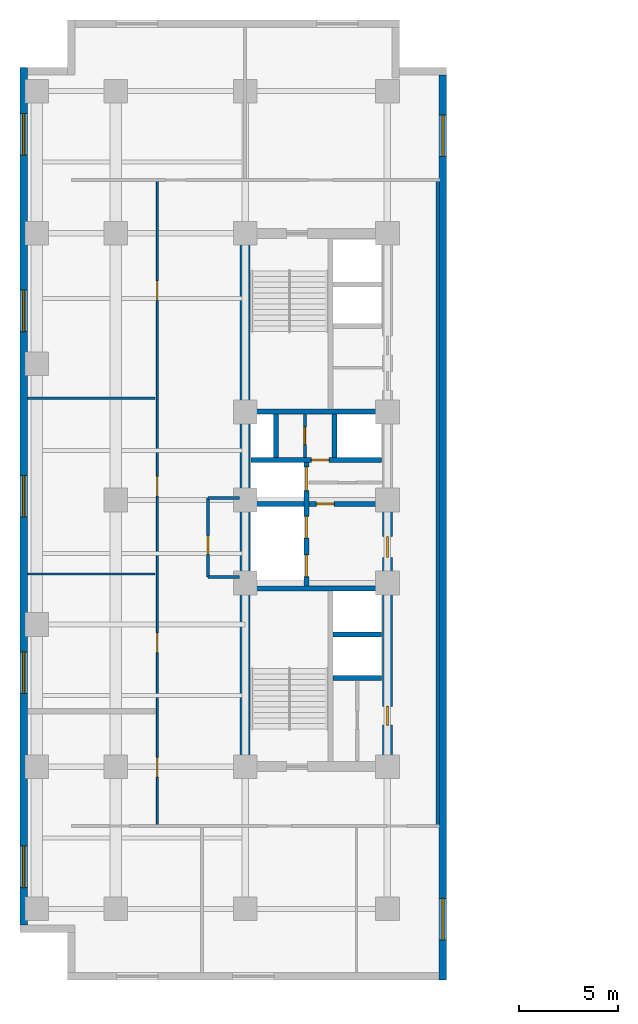
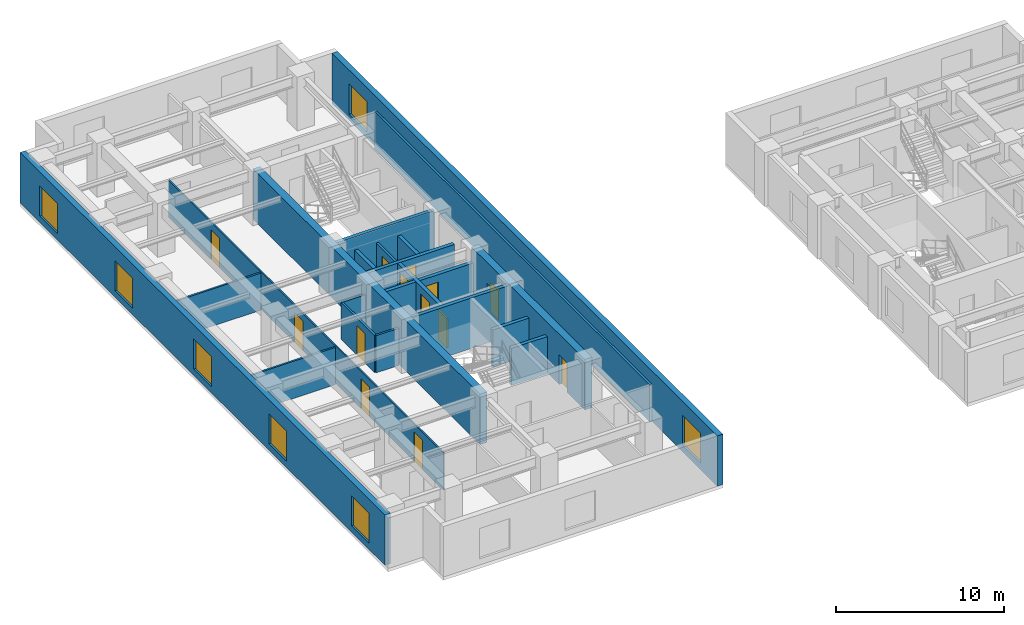
# One storey, part 3 of 9: 21 walls, 13 doors, 7 windows, 20 openings.
"""IFC4 building model written with IfcOpenShell, lengths in metres."""

from ifc_helpers import new_model, entity, si_unit, converted_unit, direction, frame, origin_with_axes, origin_2d_with_axis, place, context, subcontext, project, spatial, polyline, rectangle, outline, extrude, material, layer, layer_set, type_object, element, fill, save


model = new_model("IFC4")

# Units and contexts
model_context = context("Model", 3, precision=1e-05, world=origin_with_axes(), true_north=direction((0.0, 1.0)))
body_context = subcontext(model_context, "Body", "Model", "MODEL_VIEW")
ifc_project = project(units=[si_unit("LENGTHUNIT", "METRE"), si_unit("AREAUNIT", "SQUARE_METRE"), si_unit("VOLUMEUNIT", "CUBIC_METRE"), converted_unit("PLANEANGLEUNIT", "DEGREE", entity("IfcPlaneAngleMeasure", 0.017453292519943295), si_unit("PLANEANGLEUNIT", "RADIAN"), dimensions=[0, 0, 0, 0, 0, 0, 0]), si_unit("MASSUNIT", "GRAM", prefix="KILO"), si_unit("THERMODYNAMICTEMPERATUREUNIT", "KELVIN")], contexts=[model_context])

# Site, building, storey
site_placement = place(None, origin_with_axes())
site = spatial("IfcSite", under=ifc_project, at=site_placement, CompositionType="ELEMENT")
building_placement = place(site_placement, origin_with_axes())
building = spatial("IfcBuilding", under=site, at=building_placement, Name="Varnlund Millrace Tower", CompositionType="ELEMENT")
storey_placement = place(building_placement, frame((0.0, 0.0, 93.0), z_axis=(0.0, 0.0, 1.0), x_axis=(1.0, 0.0, 0.0)))
storey = spatial("IfcBuildingStorey", under=building, at=storey_placement, Name="L22", CompositionType="ELEMENT", Elevation=93.0)

# Wall
ifc_material_1 = material(Name="Concrete C70/85", Category="concrete")
ifc_layer_1 = layer(ifc_material_1, 0.5, Name="Concrete C70/85")
ifc_layer_set_1 = layer_set([ifc_layer_1], Name="Concrete C70/85")
wall_type_1 = type_object("IfcWallType", Name="Type-CoreWall-Shear-500-C70", PredefinedType="SHEAR", material=ifc_layer_set_1)
wall_1_placement = place(storey_placement, frame((11.4, 10.8, 0.0), z_axis=(0.0, 0.0, 1.0), x_axis=(0.0, 1.0, 0.0)))
element("IfcWall", 1, at=wall_1_placement, inside=storey, type_object=wall_type_1, Name="Type-CoreWall-Shear-500-C70", PredefinedType="SHEAR", context=body_context, shape_type="SweptSolid", body=[
    extrude(outline(polyline([(0.0, -0.25), (27.0, -0.25), (27.0, 0.25), (0.0, 0.25), (0.0, -0.25)])), origin_with_axes(), (0.0, 0.0, 1.0), 3.66),
])

# Wall, openings, doors
wall_2_placement = place(storey_placement, frame((18.6, 10.8, 0.0), z_axis=(0.0, 0.0, 1.0), x_axis=(0.0, 1.0, 0.0)))
wall_2 = element("IfcWall", 2, at=wall_2_placement, inside=storey, type_object=wall_type_1, Name="Type-CoreWall-Shear-500-C70", PredefinedType="SHEAR", context=body_context, shape_type="SweptSolid", body=[
    extrude(outline(polyline([(0.0, -0.25), (13.5, -0.25), (13.5, 0.25), (0.0, 0.25), (0.0, -0.25)])), origin_with_axes(), (0.0, 0.0, 1.0), 3.66),
])
opening_1_placement = place(wall_2_placement, frame((11.125, 0.0, 0.0), z_axis=(0.0, 0.0, 1.0), x_axis=(1.0, 0.0, 0.0)))
opening_1 = element("IfcOpeningElement", 3, at=opening_1_placement, cuts=wall_2, Name="Opening L22:DR-FFLOB-A", PredefinedType="OPENING", context=body_context, shape_type="SweptSolid", body=[
    extrude(rectangle(XDim=1.05, YDim=0.52, at=origin_2d_with_axis()), origin_with_axes(), (0.0, 0.0, 1.0), 2.15),
])
opening_2_placement = place(wall_2_placement, frame((2.575, 0.0, 0.0), z_axis=(0.0, 0.0, 1.0), x_axis=(1.0, 0.0, 0.0)))
opening_2 = element("IfcOpeningElement", 4, at=opening_2_placement, cuts=wall_2, Name="Opening L22:DR-RECL-L2", PredefinedType="OPENING", context=body_context, shape_type="SweptSolid", body=[
    extrude(rectangle(XDim=0.95, YDim=0.52, at=origin_2d_with_axis()), origin_with_axes(), (0.0, 0.0, 1.0), 2.15),
])
ifc_material_2 = material(Name="Smoke-barrier hollow steel fire door", Category="steel")
door_type_1 = type_object("IfcDoorType", Name="Type-FireDoor-Lobby-1050X2150", OperationType="NOTDEFINED", PredefinedType="DOOR", material=ifc_material_2)
door_1_placement = place(wall_2_placement, frame((11.125, 0.0, 0.0), z_axis=(0.0, 0.0, 1.0), x_axis=(1.0, 0.0, 0.0)))
door_1 = element("IfcDoor", 5, at=door_1_placement, inside=storey, type_object=door_type_1, Name="Type-FireDoor-Lobby-1050X2150", OperationType="SINGLE_SWING_LEFT", OverallHeight=2.15, OverallWidth=1.05, PredefinedType="DOOR", context=body_context, shape_type="SweptSolid", body=[
    extrude(rectangle(XDim=1.05, YDim=0.09, at=origin_2d_with_axis()), origin_with_axes(), (0.0, 0.0, 1.0), 2.15),
])
fill(opening_1, door_1)
ifc_material_3 = material(Name="Fire-rated hollow steel core service door", Category="steel")
door_type_2 = type_object("IfcDoorType", Name="Type-FireDoor-Service-950X2150", OperationType="NOTDEFINED", PredefinedType="DOOR", material=ifc_material_3)
door_2_placement = place(wall_2_placement, frame((2.575, 0.0, 0.0), z_axis=(0.0, 0.0, 1.0), x_axis=(1.0, 0.0, 0.0)))
door_2 = element("IfcDoor", 6, at=door_2_placement, inside=storey, type_object=door_type_2, Name="Type-FireDoor-Service-950X2150", OperationType="SINGLE_SWING_RIGHT", OverallHeight=2.15, OverallWidth=0.95, PredefinedType="DOOR", context=body_context, shape_type="SweptSolid", body=[
    extrude(rectangle(XDim=0.95, YDim=0.09, at=origin_2d_with_axis()), origin_with_axes(), (0.0, 0.0, 1.0), 2.15),
])
fill(opening_2, door_2)

# Wall, openings, windows
ifc_material_4 = material(Name="Precast concrete C50/60", Category="concrete")
ifc_layer_2 = layer(ifc_material_4, 0.38, Name="Precast concrete C50/60")
ifc_layer_set_2 = layer_set([ifc_layer_2], Name="Precast concrete C50/60")
wall_type_2 = type_object("IfcWallType", Name="Type-ExtWall-Precast-Tube-380", PredefinedType="SOLIDWALL", material=ifc_layer_set_2)
wall_3_placement = place(storey_placement, frame((0.19, 2.78, 0.0), z_axis=(0.0, 0.0, 1.0), x_axis=(0.0, 1.0, 0.0)))
wall_3 = element("IfcWall", 7, at=wall_3_placement, inside=storey, type_object=wall_type_2, Name="Type-ExtWall-Precast-Tube-380", PredefinedType="SOLIDWALL", context=body_context, shape_type="SweptSolid", body=[
    extrude(outline(polyline([(0.0, -0.19), (43.42, -0.19), (43.42, 0.19), (0.0, 0.19), (0.0, -0.19)])), origin_with_axes(), (0.0, 0.0, 1.0), 3.66),
])
opening_3_placement = place(wall_3_placement, frame((2.946, 0.0, 0.45), z_axis=(0.0, 0.0, 1.0), x_axis=(1.0, 0.0, 0.0)))
opening_3 = element("IfcOpeningElement", 8, at=opening_3_placement, cuts=wall_3, Name="Opening L22:WN-01", PredefinedType="OPENING", context=body_context, shape_type="SweptSolid", body=[
    extrude(rectangle(XDim=2.1, YDim=0.4, at=origin_2d_with_axis()), origin_with_axes(), (0.0, 0.0, 1.0), 2.2),
])
opening_4_placement = place(wall_3_placement, frame((12.778, 0.0, 0.45), z_axis=(0.0, 0.0, 1.0), x_axis=(1.0, 0.0, 0.0)))
opening_4 = element("IfcOpeningElement", 9, at=opening_4_placement, cuts=wall_3, Name="Opening L22:WN-02", PredefinedType="OPENING", context=body_context, shape_type="SweptSolid", body=[
    extrude(rectangle(XDim=2.1, YDim=0.4, at=origin_2d_with_axis()), origin_with_axes(), (0.0, 0.0, 1.0), 2.2),
])
opening_5_placement = place(wall_3_placement, frame((21.71, 0.0, 0.45), z_axis=(0.0, 0.0, 1.0), x_axis=(1.0, 0.0, 0.0)))
opening_5 = element("IfcOpeningElement", 10, at=opening_5_placement, cuts=wall_3, Name="Opening L22:WN-03", PredefinedType="OPENING", context=body_context, shape_type="SweptSolid", body=[
    extrude(rectangle(XDim=2.1, YDim=0.4, at=origin_2d_with_axis()), origin_with_axes(), (0.0, 0.0, 1.0), 2.2),
])
opening_6_placement = place(wall_3_placement, frame((31.092, 0.0, 0.45), z_axis=(0.0, 0.0, 1.0), x_axis=(1.0, 0.0, 0.0)))
opening_6 = element("IfcOpeningElement", 11, at=opening_6_placement, cuts=wall_3, Name="Opening L22:WN-04", PredefinedType="OPENING", context=body_context, shape_type="SweptSolid", body=[
    extrude(rectangle(XDim=2.1, YDim=0.4, at=origin_2d_with_axis()), origin_with_axes(), (0.0, 0.0, 1.0), 2.2),
])
opening_7_placement = place(wall_3_placement, frame((40.024, 0.0, 0.45), z_axis=(0.0, 0.0, 1.0), x_axis=(1.0, 0.0, 0.0)))
opening_7 = element("IfcOpeningElement", 12, at=opening_7_placement, cuts=wall_3, Name="Opening L22:WN-05", PredefinedType="OPENING", context=body_context, shape_type="SweptSolid", body=[
    extrude(rectangle(XDim=2.1, YDim=0.4, at=origin_2d_with_axis()), origin_with_axes(), (0.0, 0.0, 1.0), 2.2),
])
ifc_material_5 = material(Name="Argon low-e triple glazing in thermally broken bronze frame", Category="glass")
window_type = type_object("IfcWindowType", Name="Type-Window-Punched-2100X2200", PartitioningType="SINGLE_PANEL", PredefinedType="WINDOW", material=ifc_material_5)
window_1_placement = place(wall_3_placement, frame((2.946, 0.0, 0.45), z_axis=(0.0, 0.0, 1.0), x_axis=(1.0, 0.0, 0.0)))
window_1 = element("IfcWindow", 13, at=window_1_placement, inside=storey, type_object=window_type, Name="Type-Window-Punched-2100X2200", OverallHeight=2.2, OverallWidth=2.1, PredefinedType="WINDOW", context=body_context, shape_type="SweptSolid", body=[
    extrude(rectangle(XDim=2.1, YDim=0.09, at=origin_2d_with_axis()), origin_with_axes(), (0.0, 0.0, 1.0), 2.2),
])
fill(opening_3, window_1)
window_2_placement = place(wall_3_placement, frame((12.778, 0.0, 0.45), z_axis=(0.0, 0.0, 1.0), x_axis=(1.0, 0.0, 0.0)))
window_2 = element("IfcWindow", 14, at=window_2_placement, inside=storey, type_object=window_type, Name="Type-Window-Punched-2100X2200", OverallHeight=2.2, OverallWidth=2.1, PredefinedType="WINDOW", context=body_context, shape_type="SweptSolid", body=[
    extrude(rectangle(XDim=2.1, YDim=0.09, at=origin_2d_with_axis()), origin_with_axes(), (0.0, 0.0, 1.0), 2.2),
])
fill(opening_4, window_2)
window_3_placement = place(wall_3_placement, frame((21.71, 0.0, 0.45), z_axis=(0.0, 0.0, 1.0), x_axis=(1.0, 0.0, 0.0)))
window_3 = element("IfcWindow", 15, at=window_3_placement, inside=storey, type_object=window_type, Name="Type-Window-Punched-2100X2200", OverallHeight=2.2, OverallWidth=2.1, PredefinedType="WINDOW", context=body_context, shape_type="SweptSolid", body=[
    extrude(rectangle(XDim=2.1, YDim=0.09, at=origin_2d_with_axis()), origin_with_axes(), (0.0, 0.0, 1.0), 2.2),
])
fill(opening_5, window_3)
window_4_placement = place(wall_3_placement, frame((31.092, 0.0, 0.45), z_axis=(0.0, 0.0, 1.0), x_axis=(1.0, 0.0, 0.0)))
window_4 = element("IfcWindow", 16, at=window_4_placement, inside=storey, type_object=window_type, Name="Type-Window-Punched-2100X2200", OverallHeight=2.2, OverallWidth=2.1, PredefinedType="WINDOW", context=body_context, shape_type="SweptSolid", body=[
    extrude(rectangle(XDim=2.1, YDim=0.09, at=origin_2d_with_axis()), origin_with_axes(), (0.0, 0.0, 1.0), 2.2),
])
fill(opening_6, window_4)
window_5_placement = place(wall_3_placement, frame((40.024, 0.0, 0.45), z_axis=(0.0, 0.0, 1.0), x_axis=(1.0, 0.0, 0.0)))
window_5 = element("IfcWindow", 17, at=window_5_placement, inside=storey, type_object=window_type, Name="Type-Window-Punched-2100X2200", OverallHeight=2.2, OverallWidth=2.1, PredefinedType="WINDOW", context=body_context, shape_type="SweptSolid", body=[
    extrude(rectangle(XDim=2.1, YDim=0.09, at=origin_2d_with_axis()), origin_with_axes(), (0.0, 0.0, 1.0), 2.2),
])
fill(opening_7, window_5)

wall_4_placement = place(storey_placement, frame((21.41, 45.82, 0.0), z_axis=(0.0, 0.0, 1.0), x_axis=(0.0, -1.0, 0.0)))
wall_4 = element("IfcWall", 18, at=wall_4_placement, inside=storey, type_object=wall_type_2, Name="Type-ExtWall-Precast-Tube-380", PredefinedType="SOLIDWALL", context=body_context, shape_type="SweptSolid", body=[
    extrude(outline(polyline([(0.0, -0.19), (45.82, -0.19), (45.82, 0.19), (0.0, 0.19), (0.0, -0.19)])), origin_with_axes(), (0.0, 0.0, 1.0), 3.66),
])
opening_8_placement = place(wall_4_placement, frame((3.079, 0.0, 0.45), z_axis=(0.0, 0.0, 1.0), x_axis=(1.0, 0.0, 0.0)))
opening_8 = element("IfcOpeningElement", 19, at=opening_8_placement, cuts=wall_4, Name="Opening L22:WN-08", PredefinedType="OPENING", context=body_context, shape_type="SweptSolid", body=[
    extrude(rectangle(XDim=2.1, YDim=0.4, at=origin_2d_with_axis()), origin_with_axes(), (0.0, 0.0, 1.0), 2.2),
])
opening_9_placement = place(wall_4_placement, frame((42.741, 0.0, 0.45), z_axis=(0.0, 0.0, 1.0), x_axis=(1.0, 0.0, 0.0)))
opening_9 = element("IfcOpeningElement", 20, at=opening_9_placement, cuts=wall_4, Name="Opening L22:WN-09", PredefinedType="OPENING", context=body_context, shape_type="SweptSolid", body=[
    extrude(rectangle(XDim=2.1, YDim=0.4, at=origin_2d_with_axis()), origin_with_axes(), (0.0, 0.0, 1.0), 2.2),
])
window_6_placement = place(wall_4_placement, frame((3.079, 0.0, 0.45), z_axis=(0.0, 0.0, 1.0), x_axis=(1.0, 0.0, 0.0)))
window_6 = element("IfcWindow", 21, at=window_6_placement, inside=storey, type_object=window_type, Name="Type-Window-Punched-2100X2200", OverallHeight=2.2, OverallWidth=2.1, PredefinedType="WINDOW", context=body_context, shape_type="SweptSolid", body=[
    extrude(rectangle(XDim=2.1, YDim=0.09, at=origin_2d_with_axis()), origin_with_axes(), (0.0, 0.0, 1.0), 2.2),
])
fill(opening_8, window_6)
window_7_placement = place(wall_4_placement, frame((42.741, 0.0, 0.45), z_axis=(0.0, 0.0, 1.0), x_axis=(1.0, 0.0, 0.0)))
window_7 = element("IfcWindow", 22, at=window_7_placement, inside=storey, type_object=window_type, Name="Type-Window-Punched-2100X2200", OverallHeight=2.2, OverallWidth=2.1, PredefinedType="WINDOW", context=body_context, shape_type="SweptSolid", body=[
    extrude(rectangle(XDim=2.1, YDim=0.09, at=origin_2d_with_axis()), origin_with_axes(), (0.0, 0.0, 1.0), 2.2),
])
fill(opening_9, window_7)

# Wall, opening, door
ifc_material_6 = material(Name="Fire-rated gypsum board on cold-formed steel framing", Category="steel")
ifc_layer_3 = layer(ifc_material_6, 0.16, Name="Fire-rated gypsum board on cold-formed steel framing")
ifc_layer_set_3 = layer_set([ifc_layer_3], Name="Fire-rated gypsum board on cold-formed steel framing")
wall_type_3 = type_object("IfcWallType", Name="Type-Partition-Corridor-160", PredefinedType="PARTITIONING", material=ifc_layer_set_3)
wall_5_placement = place(storey_placement, frame((14.42, 26.45, 0.0), z_axis=(0.0, 0.0, 1.0), x_axis=(0.0, 1.0, 0.0)))
wall_5 = element("IfcWall", 23, at=wall_5_placement, inside=storey, type_object=wall_type_3, Name="Type-Partition-Corridor-160", PredefinedType="PARTITIONING", context=body_context, shape_type="SweptSolid", body=[
    extrude(outline(polyline([(0.0, -0.08), (2.2, -0.08), (2.2, 0.08), (0.0, 0.08), (0.0, -0.08)])), origin_with_axes(), (0.0, 0.0, 1.0), 2.7),
])
opening_10_placement = place(wall_5_placement, frame((1.1, 0.0, 0.0), z_axis=(0.0, 0.0, 1.0), x_axis=(1.0, 0.0, 0.0)))
opening_10 = element("IfcOpeningElement", 24, at=opening_10_placement, cuts=wall_5, Name="Opening L22:DR-CA-EL2", PredefinedType="OPENING", context=body_context, shape_type="SweptSolid", body=[
    extrude(rectangle(XDim=0.9, YDim=0.18, at=origin_2d_with_axis()), origin_with_axes(), (0.0, 0.0, 1.0), 2.15),
])
ifc_material_7 = material(Name="Painted steel riser and closet door", Category="steel")
door_type_3 = type_object("IfcDoorType", Name="Type-IntDoor-Closet-900X2150", OperationType="NOTDEFINED", PredefinedType="DOOR", material=ifc_material_7)
door_3_placement = place(wall_5_placement, frame((1.1, 0.0, 0.0), z_axis=(0.0, 0.0, 1.0), x_axis=(1.0, 0.0, 0.0)))
door_3 = element("IfcDoor", 25, at=door_3_placement, inside=storey, type_object=door_type_3, Name="Type-IntDoor-Closet-900X2150", OperationType="SINGLE_SWING_LEFT", OverallHeight=2.15, OverallWidth=0.9, PredefinedType="DOOR", context=body_context, shape_type="SweptSolid", body=[
    extrude(rectangle(XDim=0.9, YDim=0.09, at=origin_2d_with_axis()), origin_with_axes(), (0.0, 0.0, 1.0), 2.15),
])
fill(opening_10, door_3)

# Wall
wall_6_placement = place(storey_placement, frame((21.15, 7.8, 0.0), z_axis=(0.0, 0.0, 1.0), x_axis=(0.0, 1.0, 0.0)))
element("IfcWall", 26, at=wall_6_placement, inside=storey, type_object=wall_type_3, Name="Type-Partition-Corridor-160", PredefinedType="PARTITIONING", context=body_context, shape_type="SweptSolid", body=[
    extrude(outline(polyline([(0.0, -0.08), (32.7, -0.08), (32.7, 0.08), (0.0, 0.08), (0.0, -0.08)])), origin_with_axes(), (0.0, 0.0, 1.0), 2.7),
])

# Wall, openings, doors
ifc_material_8 = material(Name="Architectural bronze and acoustic glass office front", Category="glass")
ifc_layer_4 = layer(ifc_material_8, 0.1, Name="Architectural bronze and acoustic glass office front")
ifc_layer_set_4 = layer_set([ifc_layer_4], Name="Architectural bronze and acoustic glass office front")
wall_type_4 = type_object("IfcWallType", Name="Type-Partition-Glazed-100", PredefinedType="PARTITIONING", material=ifc_layer_set_4)
wall_7_placement = place(storey_placement, frame((6.95, 7.8, 0.0), z_axis=(0.0, 0.0, 1.0), x_axis=(0.0, 1.0, 0.0)))
wall_7 = element("IfcWall", 27, at=wall_7_placement, inside=storey, type_object=wall_type_4, Name="Type-Partition-Glazed-100", PredefinedType="PARTITIONING", context=body_context, shape_type="SweptSolid", body=[
    extrude(outline(polyline([(0.0, -0.05), (32.7, -0.05), (32.7, 0.05), (0.0, 0.05), (0.0, -0.05)])), origin_with_axes(), (0.0, 0.0, 1.0), 2.7),
])
opening_11_placement = place(wall_7_placement, frame((2.967, 0.0, 0.0), z_axis=(0.0, 0.0, 1.0), x_axis=(1.0, 0.0, 0.0)))
opening_11 = element("IfcOpeningElement", 28, at=opening_11_placement, cuts=wall_7, Name="Opening L22:DR-W-01", PredefinedType="OPENING", context=body_context, shape_type="SweptSolid", body=[
    extrude(rectangle(XDim=1.0, YDim=0.12, at=origin_2d_with_axis()), origin_with_axes(), (0.0, 0.0, 1.0), 2.15),
])
opening_12_placement = place(wall_7_placement, frame((9.279, 0.0, 0.0), z_axis=(0.0, 0.0, 1.0), x_axis=(1.0, 0.0, 0.0)))
opening_12 = element("IfcOpeningElement", 29, at=opening_12_placement, cuts=wall_7, Name="Opening L22:DR-W-02", PredefinedType="OPENING", context=body_context, shape_type="SweptSolid", body=[
    extrude(rectangle(XDim=1.0, YDim=0.12, at=origin_2d_with_axis()), origin_with_axes(), (0.0, 0.0, 1.0), 2.15),
])
opening_13_placement = place(wall_7_placement, frame((17.202, 0.0, 0.0), z_axis=(0.0, 0.0, 1.0), x_axis=(1.0, 0.0, 0.0)))
opening_13 = element("IfcOpeningElement", 30, at=opening_13_placement, cuts=wall_7, Name="Opening L22:DR-W-03", PredefinedType="OPENING", context=body_context, shape_type="SweptSolid", body=[
    extrude(rectangle(XDim=1.0, YDim=0.12, at=origin_2d_with_axis()), origin_with_axes(), (0.0, 0.0, 1.0), 2.15),
])
opening_14_placement = place(wall_7_placement, frame((27.11, 0.0, 0.0), z_axis=(0.0, 0.0, 1.0), x_axis=(1.0, 0.0, 0.0)))
opening_14 = element("IfcOpeningElement", 31, at=opening_14_placement, cuts=wall_7, Name="Opening L22:DR-W-04", PredefinedType="OPENING", context=body_context, shape_type="SweptSolid", body=[
    extrude(rectangle(XDim=1.0, YDim=0.12, at=origin_2d_with_axis()), origin_with_axes(), (0.0, 0.0, 1.0), 2.15),
])
ifc_material_9 = material(Name="Solid-core white oak and bronze frame door")
door_type_4 = type_object("IfcDoorType", Name="Type-IntDoor-Office-1000X2150", OperationType="NOTDEFINED", PredefinedType="DOOR", material=ifc_material_9)
door_4_placement = place(wall_7_placement, frame((2.967, 0.0, 0.0), z_axis=(0.0, 0.0, 1.0), x_axis=(1.0, 0.0, 0.0)))
door_4 = element("IfcDoor", 32, at=door_4_placement, inside=storey, type_object=door_type_4, Name="Type-IntDoor-Office-1000X2150", OperationType="SINGLE_SWING_LEFT", OverallHeight=2.15, OverallWidth=1.0, PredefinedType="DOOR", context=body_context, shape_type="SweptSolid", body=[
    extrude(rectangle(XDim=1.0, YDim=0.06, at=origin_2d_with_axis()), origin_with_axes(), (0.0, 0.0, 1.0), 2.15),
])
fill(opening_11, door_4)
door_5_placement = place(wall_7_placement, frame((9.279, 0.0, 0.0), z_axis=(0.0, 0.0, 1.0), x_axis=(1.0, 0.0, 0.0)))
door_5 = element("IfcDoor", 33, at=door_5_placement, inside=storey, type_object=door_type_4, Name="Type-IntDoor-Office-1000X2150", OperationType="SINGLE_SWING_RIGHT", OverallHeight=2.15, OverallWidth=1.0, PredefinedType="DOOR", context=body_context, shape_type="SweptSolid", body=[
    extrude(rectangle(XDim=1.0, YDim=0.06, at=origin_2d_with_axis()), origin_with_axes(), (0.0, 0.0, 1.0), 2.15),
])
fill(opening_12, door_5)
door_6_placement = place(wall_7_placement, frame((17.202, 0.0, 0.0), z_axis=(0.0, 0.0, 1.0), x_axis=(1.0, 0.0, 0.0)))
door_6 = element("IfcDoor", 34, at=door_6_placement, inside=storey, type_object=door_type_4, Name="Type-IntDoor-Office-1000X2150", OperationType="SINGLE_SWING_LEFT", OverallHeight=2.15, OverallWidth=1.0, PredefinedType="DOOR", context=body_context, shape_type="SweptSolid", body=[
    extrude(rectangle(XDim=1.0, YDim=0.06, at=origin_2d_with_axis()), origin_with_axes(), (0.0, 0.0, 1.0), 2.15),
])
fill(opening_13, door_6)
door_7_placement = place(wall_7_placement, frame((27.11, 0.0, 0.0), z_axis=(0.0, 0.0, 1.0), x_axis=(1.0, 0.0, 0.0)))
door_7 = element("IfcDoor", 35, at=door_7_placement, inside=storey, type_object=door_type_4, Name="Type-IntDoor-Office-1000X2150", OperationType="SINGLE_SWING_RIGHT", OverallHeight=2.15, OverallWidth=1.0, PredefinedType="DOOR", context=body_context, shape_type="SweptSolid", body=[
    extrude(rectangle(XDim=1.0, YDim=0.06, at=origin_2d_with_axis()), origin_with_axes(), (0.0, 0.0, 1.0), 2.15),
])
fill(opening_14, door_7)

# Walls
ifc_material_10 = material(Name="Gypsum board tenant partition", Category="gypsum")
ifc_layer_5 = layer(ifc_material_10, 0.125, Name="Gypsum board tenant partition")
ifc_layer_set_5 = layer_set([ifc_layer_5], Name="Gypsum board tenant partition")
wall_type_5 = type_object("IfcWallType", Name="Type-Partition-Tenant-125", PredefinedType="PARTITIONING", material=ifc_layer_set_5)
for number, where, z_axis, x_axis, name in (
    (36, (0.375, 20.554, 0.0), (0.0, 0.0, 1.0), (1.0, 0.0, 0.0), "Type-Partition-Tenant-125"),
    (37, (0.375, 29.45, 0.0), (0.0, 0.0, 1.0), (1.0, 0.0, 0.0), "Type-Partition-Tenant-125"),
):
    element("IfcWall", number, at=place(storey_placement, frame(where, z_axis=z_axis, x_axis=x_axis)), inside=storey, type_object=wall_type_5, Name=name, PredefinedType="PARTITIONING", context=body_context, shape_type="SweptSolid", body=[
        extrude(outline(polyline([(0.0, -0.0625), (6.455, -0.0625), (6.455, 0.0625), (0.0, 0.0625), (0.0, -0.0625)])), origin_with_axes(), (0.0, 0.0, 1.0), 2.7),
    ])

# Wall, opening, door
ifc_material_11 = material(Name="Moisture-resistant gypsum restroom partition", Category="gypsum")
ifc_layer_6 = layer(ifc_material_11, 0.14, Name="Moisture-resistant gypsum restroom partition")
ifc_layer_set_6 = layer_set([ifc_layer_6], Name="Moisture-resistant gypsum restroom partition")
wall_type_6 = type_object("IfcWallType", Name="Type-Partition-Wet-140", PredefinedType="PARTITIONING", material=ifc_layer_set_6)
wall_8_placement = place(storey_placement, frame((9.52, 20.4, 0.0), z_axis=(0.0, 0.0, 1.0), x_axis=(0.0, 1.0, 0.0)))
wall_8 = element("IfcWall", 38, at=wall_8_placement, inside=storey, type_object=wall_type_6, Name="Type-Partition-Wet-140", PredefinedType="PARTITIONING", context=body_context, shape_type="SweptSolid", body=[
    extrude(outline(polyline([(0.0, -0.07), (4.0, -0.07), (4.0, 0.07), (0.0, 0.07), (0.0, -0.07)])), origin_with_axes(), (0.0, 0.0, 1.0), 2.7),
])
opening_15_placement = place(wall_8_placement, frame((1.625, 0.0, 0.0), z_axis=(0.0, 0.0, 1.0), x_axis=(1.0, 0.0, 0.0)))
opening_15 = element("IfcOpeningElement", 39, at=opening_15_placement, cuts=wall_8, Name="Opening L22:DR-CA-WCW", PredefinedType="OPENING", context=body_context, shape_type="SweptSolid", body=[
    extrude(rectangle(XDim=0.95, YDim=0.16, at=origin_2d_with_axis()), origin_with_axes(), (0.0, 0.0, 1.0), 2.15),
])
ifc_material_12 = material(Name="Solid-core acoustic office door")
door_type_5 = type_object("IfcDoorType", Name="Type-IntDoor-Tenant-950X2150", OperationType="NOTDEFINED", PredefinedType="DOOR", material=ifc_material_12)
door_8_placement = place(wall_8_placement, frame((1.625, 0.0, 0.0), z_axis=(0.0, 0.0, 1.0), x_axis=(1.0, 0.0, 0.0)))
door_8 = element("IfcDoor", 40, at=door_8_placement, inside=storey, type_object=door_type_5, Name="Type-IntDoor-Tenant-950X2150", OperationType="SINGLE_SWING_LEFT", OverallHeight=2.15, OverallWidth=0.95, PredefinedType="DOOR", context=body_context, shape_type="SweptSolid", body=[
    extrude(rectangle(XDim=0.95, YDim=0.084, at=origin_2d_with_axis()), origin_with_axes(), (0.0, 0.0, 1.0), 2.15),
])
fill(opening_15, door_8)

# Walls
for number, where, z_axis, x_axis, name in (
    (41, (9.52, 20.4, 0.0), (0.0, 0.0, 1.0), (1.0, 0.0, 0.0), "Type-Partition-Wet-140"),
    (42, (9.52, 24.4, 0.0), (0.0, 0.0, 1.0), (1.0, 0.0, 0.0), "Type-Partition-Wet-140"),
):
    element("IfcWall", number, at=place(storey_placement, frame(where, z_axis=z_axis, x_axis=x_axis)), inside=storey, type_object=wall_type_6, Name=name, PredefinedType="PARTITIONING", context=body_context, shape_type="SweptSolid", body=[
        extrude(outline(polyline([(0.0, -0.07), (1.58, -0.07), (1.58, 0.07), (0.0, 0.07), (0.0, -0.07)])), origin_with_axes(), (0.0, 0.0, 1.0), 2.7),
    ])

# Wall, openings, doors
ifc_material_13 = material(Name="Concrete C60/75", Category="concrete")
ifc_layer_7 = layer(ifc_material_13, 0.25, Name="Concrete C60/75")
ifc_layer_set_7 = layer_set([ifc_layer_7], Name="Concrete C60/75")
wall_type_7 = type_object("IfcWallType", Name="Type-ShaftWall-Fire-250", PredefinedType="SOLIDWALL", material=ifc_layer_set_7)
wall_9_placement = place(storey_placement, frame((14.5, 19.95, 0.0), z_axis=(0.0, 0.0, 1.0), x_axis=(0.0, 1.0, 0.0)))
wall_9 = element("IfcWall", 43, at=wall_9_placement, inside=storey, type_object=wall_type_7, Name="Type-ShaftWall-Fire-250", PredefinedType="SOLIDWALL", context=body_context, shape_type="SweptSolid", body=[
    extrude(outline(polyline([(0.0, -0.125), (6.25, -0.125), (6.25, 0.125), (0.0, 0.125), (0.0, -0.125)])), origin_with_axes(), (0.0, 0.0, 1.0), 2.7),
])
opening_16_placement = place(wall_9_placement, frame((1.025, 0.0, 0.0), z_axis=(0.0, 0.0, 1.0), x_axis=(1.0, 0.0, 0.0)))
opening_16 = element("IfcOpeningElement", 44, at=opening_16_placement, cuts=wall_9, Name="Opening L22:LD-FSAE1", PredefinedType="OPENING", context=body_context, shape_type="SweptSolid", body=[
    extrude(rectangle(XDim=1.1, YDim=0.27, at=origin_2d_with_axis()), origin_with_axes(), (0.0, 0.0, 1.0), 2.15),
])
opening_17_placement = place(wall_9_placement, frame((2.975, 0.0, 0.0), z_axis=(0.0, 0.0, 1.0), x_axis=(1.0, 0.0, 0.0)))
opening_17 = element("IfcOpeningElement", 45, at=opening_17_placement, cuts=wall_9, Name="Opening L22:LD-FSAE2", PredefinedType="OPENING", context=body_context, shape_type="SweptSolid", body=[
    extrude(rectangle(XDim=1.1, YDim=0.27, at=origin_2d_with_axis()), origin_with_axes(), (0.0, 0.0, 1.0), 2.15),
])
opening_18_placement = place(wall_9_placement, frame((5.425, 0.0, 0.0), z_axis=(0.0, 0.0, 1.0), x_axis=(1.0, 0.0, 0.0)))
opening_18 = element("IfcOpeningElement", 46, at=opening_18_placement, cuts=wall_9, Name="Opening L22:LD-SRV1", PredefinedType="OPENING", context=body_context, shape_type="SweptSolid", body=[
    extrude(rectangle(XDim=1.2, YDim=0.27, at=origin_2d_with_axis()), origin_with_axes(), (0.0, 0.0, 1.0), 2.15),
])
ifc_material_14 = material(Name="Stainless and architectural bronze sliding landing door")
door_type_6 = type_object("IfcDoorType", Name="Type-LiftLandingDoor-1100X2150", OperationType="NOTDEFINED", PredefinedType="DOOR", material=ifc_material_14)
door_9_placement = place(wall_9_placement, frame((1.025, 0.0, 0.0), z_axis=(0.0, 0.0, 1.0), x_axis=(1.0, 0.0, 0.0)))
door_9 = element("IfcDoor", 47, at=door_9_placement, inside=storey, type_object=door_type_6, Name="Type-LiftLandingDoor-1100X2150", OperationType="SLIDING_TO_LEFT", OverallHeight=2.15, OverallWidth=1.1, PredefinedType="DOOR", context=body_context, shape_type="SweptSolid", body=[
    extrude(rectangle(XDim=1.1, YDim=0.09, at=origin_2d_with_axis()), origin_with_axes(), (0.0, 0.0, 1.0), 2.15),
])
fill(opening_16, door_9)
door_10_placement = place(wall_9_placement, frame((2.975, 0.0, 0.0), z_axis=(0.0, 0.0, 1.0), x_axis=(1.0, 0.0, 0.0)))
door_10 = element("IfcDoor", 48, at=door_10_placement, inside=storey, type_object=door_type_6, Name="Type-LiftLandingDoor-1100X2150", OperationType="SLIDING_TO_RIGHT", OverallHeight=2.15, OverallWidth=1.1, PredefinedType="DOOR", context=body_context, shape_type="SweptSolid", body=[
    extrude(rectangle(XDim=1.1, YDim=0.09, at=origin_2d_with_axis()), origin_with_axes(), (0.0, 0.0, 1.0), 2.15),
])
fill(opening_17, door_10)
ifc_material_15 = material(Name="Heavy-duty freight sliding landing door")
door_type_7 = type_object("IfcDoorType", Name="Type-LiftLandingDoor-Service-1200X2150", OperationType="NOTDEFINED", PredefinedType="DOOR", material=ifc_material_15)
door_11_placement = place(wall_9_placement, frame((5.425, 0.0, 0.0), z_axis=(0.0, 0.0, 1.0), x_axis=(1.0, 0.0, 0.0)))
door_11 = element("IfcDoor", 49, at=door_11_placement, inside=storey, type_object=door_type_7, Name="Type-LiftLandingDoor-Service-1200X2150", OperationType="DOUBLE_DOOR_SLIDING", OverallHeight=2.15, OverallWidth=1.2, PredefinedType="DOOR", context=body_context, shape_type="SweptSolid", body=[
    extrude(rectangle(XDim=1.2, YDim=0.09, at=origin_2d_with_axis()), origin_with_axes(), (0.0, 0.0, 1.0), 2.15),
])
fill(opening_18, door_11)

# Wall, opening, door
wall_10_placement = place(storey_placement, frame((11.7, 24.1, 0.0), z_axis=(0.0, 0.0, 1.0), x_axis=(1.0, 0.0, 0.0)))
wall_10 = element("IfcWall", 50, at=wall_10_placement, inside=storey, type_object=wall_type_7, Name="Type-ShaftWall-Fire-250", PredefinedType="SOLIDWALL", context=body_context, shape_type="SweptSolid", body=[
    extrude(outline(polyline([(0.0, -0.125), (6.6, -0.125), (6.6, 0.125), (0.0, 0.125), (0.0, -0.125)])), origin_with_axes(), (0.0, 0.0, 1.0), 2.7),
])
opening_19_placement = place(wall_10_placement, frame((3.75, 0.0, 0.0), z_axis=(0.0, 0.0, 1.0), x_axis=(1.0, 0.0, 0.0)))
opening_19 = element("IfcOpeningElement", 51, at=opening_19_placement, cuts=wall_10, Name="Opening L22:DR-CA-SUB1", PredefinedType="OPENING", context=body_context, shape_type="SweptSolid", body=[
    extrude(rectangle(XDim=0.9, YDim=0.27, at=origin_2d_with_axis()), origin_with_axes(), (0.0, 0.0, 1.0), 2.15),
])
ifc_material_16 = material(Name="Fire-rated hollow steel service closet door", Category="steel")
door_type_8 = type_object("IfcDoorType", Name="Type-FireDoor-Closet-900X2150", OperationType="NOTDEFINED", PredefinedType="DOOR", material=ifc_material_16)
door_12_placement = place(wall_10_placement, frame((3.75, 0.0, 0.0), z_axis=(0.0, 0.0, 1.0), x_axis=(1.0, 0.0, 0.0)))
door_12 = element("IfcDoor", 52, at=door_12_placement, inside=storey, type_object=door_type_8, Name="Type-FireDoor-Closet-900X2150", OperationType="SINGLE_SWING_LEFT", OverallHeight=2.15, OverallWidth=0.9, PredefinedType="DOOR", context=body_context, shape_type="SweptSolid", body=[
    extrude(rectangle(XDim=0.9, YDim=0.09, at=origin_2d_with_axis()), origin_with_axes(), (0.0, 0.0, 1.0), 2.15),
])
fill(opening_19, door_12)

wall_11_placement = place(storey_placement, frame((11.7, 26.325, 0.0), z_axis=(0.0, 0.0, 1.0), x_axis=(1.0, 0.0, 0.0)))
wall_11 = element("IfcWall", 53, at=wall_11_placement, inside=storey, type_object=wall_type_7, Name="Type-ShaftWall-Fire-250", PredefinedType="SOLIDWALL", context=body_context, shape_type="SweptSolid", body=[
    extrude(outline(polyline([(0.0, -0.125), (6.6, -0.125), (6.6, 0.125), (0.0, 0.125), (0.0, -0.125)])), origin_with_axes(), (0.0, 0.0, 1.0), 2.7),
])
opening_20_placement = place(wall_11_placement, frame((3.5, 0.0, 0.0), z_axis=(0.0, 0.0, 1.0), x_axis=(1.0, 0.0, 0.0)))
opening_20 = element("IfcOpeningElement", 54, at=opening_20_placement, cuts=wall_11, Name="Opening L22:DR-CA-EL1", PredefinedType="OPENING", context=body_context, shape_type="SweptSolid", body=[
    extrude(rectangle(XDim=0.9, YDim=0.27, at=origin_2d_with_axis()), origin_with_axes(), (0.0, 0.0, 1.0), 2.15),
])
door_13_placement = place(wall_11_placement, frame((3.5, 0.0, 0.0), z_axis=(0.0, 0.0, 1.0), x_axis=(1.0, 0.0, 0.0)))
door_13 = element("IfcDoor", 55, at=door_13_placement, inside=storey, type_object=door_type_8, Name="Type-FireDoor-Closet-900X2150", OperationType="SINGLE_SWING_LEFT", OverallHeight=2.15, OverallWidth=0.9, PredefinedType="DOOR", context=body_context, shape_type="SweptSolid", body=[
    extrude(rectangle(XDim=0.9, YDim=0.09, at=origin_2d_with_axis()), origin_with_axes(), (0.0, 0.0, 1.0), 2.15),
])
fill(opening_20, door_13)

# Walls
for number, where, z_axis, x_axis, name in (
    (56, (12.96, 26.45, 0.0), (0.0, 0.0, 1.0), (0.0, 1.0, 0.0), "Type-ShaftWall-Fire-250"),
    (57, (15.925, 26.45, 0.0), (0.0, 0.0, 1.0), (0.0, 1.0, 0.0), "Type-ShaftWall-Fire-250"),
):
    element("IfcWall", number, at=place(storey_placement, frame(where, z_axis=z_axis, x_axis=x_axis)), inside=storey, type_object=wall_type_7, Name=name, PredefinedType="SOLIDWALL", context=body_context, shape_type="SweptSolid", body=[
        extrude(outline(polyline([(0.0, -0.125), (2.2, -0.125), (2.2, 0.125), (0.0, 0.125), (0.0, -0.125)])), origin_with_axes(), (0.0, 0.0, 1.0), 2.7),
    ])
for number, where, z_axis, x_axis, name in (
    (58, (15.84, 15.29, 0.0), (0.0, 0.0, 1.0), (1.0, 0.0, 0.0), "Type-ShaftWall-Fire-250"),
    (59, (15.84, 17.49, 0.0), (0.0, 0.0, 1.0), (1.0, 0.0, 0.0), "Type-ShaftWall-Fire-250"),
):
    element("IfcWall", number, at=place(storey_placement, frame(where, z_axis=z_axis, x_axis=x_axis)), inside=storey, type_object=wall_type_7, Name=name, PredefinedType="SOLIDWALL", context=body_context, shape_type="SweptSolid", body=[
        extrude(outline(polyline([(0.0, -0.125), (2.46, -0.125), (2.46, 0.125), (0.0, 0.125), (0.0, -0.125)])), origin_with_axes(), (0.0, 0.0, 1.0), 2.7),
    ])
wall_type_8 = type_object("IfcWallType", Name="Type-StairWall-Shear-250", PredefinedType="SHEAR", material=ifc_layer_set_7)
for number, where, z_axis, x_axis, name in (
    (60, (11.65, 19.825, 0.0), (0.0, 0.0, 1.0), (1.0, 0.0, 0.0), "Type-StairWall-Shear-250"),
    (61, (11.65, 28.775, 0.0), (0.0, 0.0, 1.0), (1.0, 0.0, 0.0), "Type-StairWall-Shear-250"),
):
    element("IfcWall", number, at=place(storey_placement, frame(where, z_axis=z_axis, x_axis=x_axis)), inside=storey, type_object=wall_type_8, Name=name, PredefinedType="SHEAR", context=body_context, shape_type="SweptSolid", body=[
        extrude(outline(polyline([(0.0, -0.125), (6.7, -0.125), (6.7, 0.125), (0.0, 0.125), (0.0, -0.125)])), origin_with_axes(), (0.0, 0.0, 1.0), 3.66),
    ])

save(model, "model.ifc")
